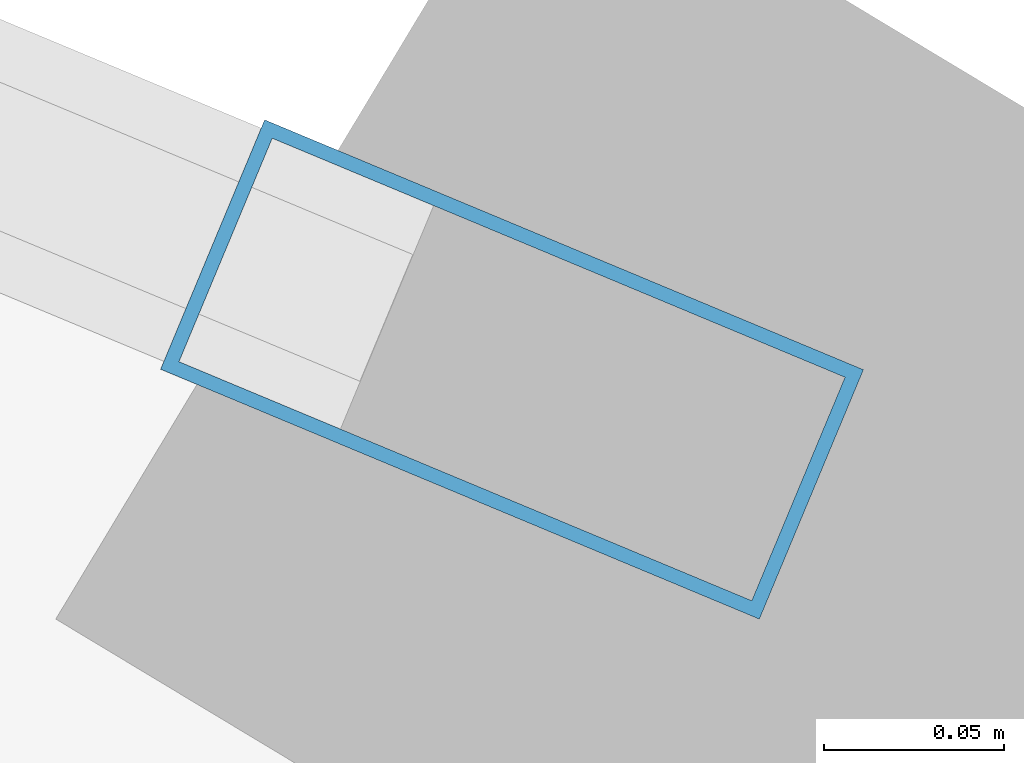
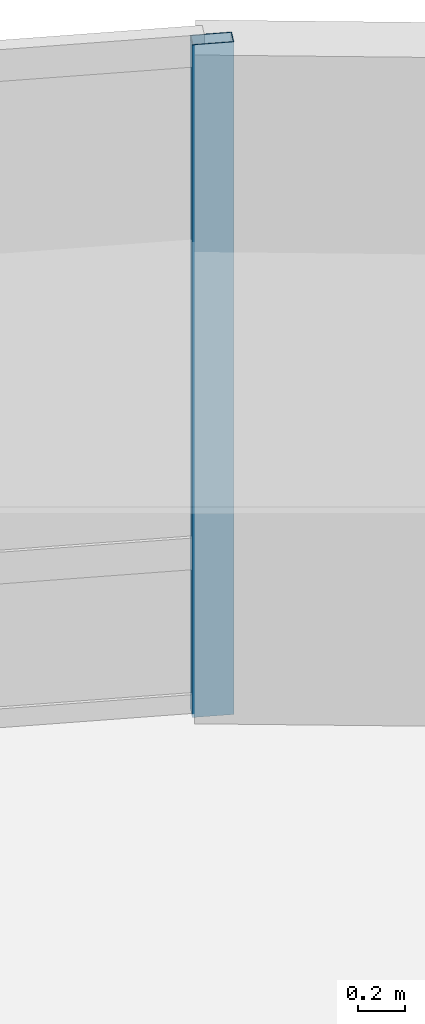
# One storey, part 12 of 18: 1 member, 1 element without a shape of its own.
"""IFC4 building model written with IfcOpenShell, lengths in metres."""

import ifcopenshell
import ifcopenshell.guid

model = None  # the IFC model being written
_history = None  # IfcOwnerHistory: only IFC2X3 demands one
_inside = {}  # id of a spatial element -> (the spatial element, [elements in it])
_under = {}  # id of a project, library or spatial element -> (it, [spatial elements below it])
_declared = {}  # id of a project -> (the project, [libraries it declares])
_typed = {}  # id of a type object -> (the type object, [elements of that type])
_made_of = {}  # id of a material, layer set ... -> (it, [elements and type objects made of it])


def new_model(schema):
    """Start an empty IFC model of exactly this schema.

    Asked for "IFC4X3", IfcOpenShell would pick the latest addendum, in which some entities
    have other attributes; the version numbers below select the first issue.
    IFC2X3 requires an IfcOwnerHistory on every rooted entity: one is made here for all.
    """
    global model, _history
    if schema == "IFC4X3":
        model = ifcopenshell.file(schema_version=(4, 3, 0, 0))
    else:
        model = ifcopenshell.file(schema=schema)
    _inside.clear()
    _under.clear()
    _declared.clear()
    _typed.clear()
    _made_of.clear()
    _history = None
    if model.schema == "IFC2X3":
        org = make("IfcOrganization", Name="unknown")
        user = make(
            "IfcPersonAndOrganization",
            ThePerson=make("IfcPerson", FamilyName="unknown"),
            TheOrganization=org,
        )
        app = make(
            "IfcApplication",
            ApplicationDeveloper=org,
            Version="unknown",
            ApplicationFullName="unknown",
            ApplicationIdentifier="unknown",
        )
        _history = make(
            "IfcOwnerHistory",
            OwningUser=user,
            OwningApplication=app,
            ChangeAction="ADDED",
            CreationDate=0,
        )
    return model


def make(cls, **values):
    """One entity of the class cls with the attributes given. An attribute that is None is left unset."""
    return model.create_entity(
        cls, **{name: value for name, value in values.items() if value is not None}
    )


def rooted(cls, **values):
    """An entity with a GlobalId (a new one), such as an element, a storey or a relation."""
    return make(cls, GlobalId=ifcopenshell.guid.new(), OwnerHistory=_history, **values)


def si_unit(unit_type, name, prefix=None):
    """IfcSIUnit, for example si_unit("LENGTHUNIT", "METRE", prefix="MILLI")."""
    return make("IfcSIUnit", UnitType=unit_type, Prefix=prefix, Name=name)


def assignment(units):
    """IfcUnitAssignment: the units of a project."""
    return None if units is None else make("IfcUnitAssignment", Units=units)


def point(xyz):
    """IfcCartesianPoint."""
    return None if xyz is None else make("IfcCartesianPoint", Coordinates=xyz)


def direction(xyz):
    """IfcDirection."""
    return None if xyz is None else make("IfcDirection", DirectionRatios=xyz)


def frame(location, z_axis=None, x_axis=None):
    """IfcAxis2Placement3D, a coordinate frame: its origin and axes. An axis left out is left unset."""
    return make(
        "IfcAxis2Placement3D",
        Location=point(location),
        Axis=direction(z_axis),
        RefDirection=direction(x_axis),
    )


def frame_2d(location, x_axis=None):
    """IfcAxis2Placement2D, a coordinate frame in the plane: its origin and x axis."""
    return make(
        "IfcAxis2Placement2D", Location=point(location), RefDirection=direction(x_axis)
    )


def origin():
    """The frame at (0, 0, 0) with its axes left unset."""
    return frame((0.0, 0.0, 0.0))


def origin_2d():
    """The frame at (0, 0) in the plane with its x axis left unset."""
    return frame_2d((0.0, 0.0))


def place(relative_to, where):
    """IfcLocalPlacement: puts the frame where relative to a parent placement (None: the world)."""
    return make(
        "IfcLocalPlacement", PlacementRelTo=relative_to, RelativePlacement=where
    )


def context(
    kind, dimensions, precision=None, world=None, true_north=None, identifier=None
):
    """IfcGeometricRepresentationContext, for example the 3D "Model" context."""
    return make(
        "IfcGeometricRepresentationContext",
        ContextIdentifier=identifier,
        ContextType=kind,
        CoordinateSpaceDimension=dimensions,
        Precision=precision,
        WorldCoordinateSystem=world,
        TrueNorth=true_north,
    )


def subcontext(parent, identifier, kind, view, scale=None):
    """IfcGeometricRepresentationSubContext, for example "Body" below "Model"."""
    return make(
        "IfcGeometricRepresentationSubContext",
        ContextIdentifier=identifier,
        ContextType=kind,
        ParentContext=parent,
        TargetScale=scale,
        TargetView=view,
    )


def project(units=None, contexts=None):
    """IfcProject with its units and contexts."""
    return rooted(
        "IfcProject",
        Name="project",
        RepresentationContexts=contexts,
        UnitsInContext=assignment(units),
    )


def spatial(cls, under=None, at=None, **own):
    """A site, building, storey or space (cls), placed at a placement, below another one or the project."""
    s = rooted(cls, ObjectPlacement=at, **own)
    if under is not None:
        _under.setdefault(under.id(), (under, []))[1].append(s)
    return s


def profile(cls, at=None, kind="AREA", **sizes):
    """A parametric profile (cls). Its sizes go by their IFC names, for example OverallWidth=200.0."""
    return make(cls, ProfileType=kind, Position=at, **sizes)


def hollow_rectangle(**sizes):
    """IfcRectangleHollowProfileDef."""
    return profile("IfcRectangleHollowProfileDef", **sizes)


def extrude(swept, where, along, depth):
    """IfcExtrudedAreaSolid: the profile swept, set in the frame where, extruded along a direction by depth."""
    return make(
        "IfcExtrudedAreaSolid",
        SweptArea=swept,
        Position=where,
        ExtrudedDirection=direction(along),
        Depth=depth,
    )


def shape(context_of_items, identifier, shape_type, items):
    """IfcShapeRepresentation: the items that make up one representation, for example the "Body"."""
    return make(
        "IfcShapeRepresentation",
        ContextOfItems=context_of_items,
        RepresentationIdentifier=identifier,
        RepresentationType=shape_type,
        Items=items,
    )


def material(Name=None, Category=None):
    """IfcMaterial."""
    return make("IfcMaterial", Name=Name, Category=Category)


def layer(
    of_material, thickness, ventilated=None, Name=None, Category=None, Priority=None
):
    """IfcMaterialLayer: one layer of a wall or slab, of a material (None: an air gap)."""
    return make(
        "IfcMaterialLayer",
        Material=of_material,
        LayerThickness=thickness,
        IsVentilated=ventilated,
        Name=Name,
        Category=Category,
        Priority=Priority,
    )


def layer_set(layers, Name=None):
    """IfcMaterialLayerSet."""
    return make("IfcMaterialLayerSet", MaterialLayers=layers, LayerSetName=Name)


def material_profile(
    of_material, cross_section, Name=None, Category=None, Priority=None
):
    """IfcMaterialProfile: a cross section and its material."""
    return make(
        "IfcMaterialProfile",
        Name=Name,
        Material=of_material,
        Profile=cross_section,
        Priority=Priority,
        Category=Category,
    )


def profile_set(profiles, Name=None, composite=None):
    """IfcMaterialProfileSet."""
    return make(
        "IfcMaterialProfileSet",
        Name=Name,
        MaterialProfiles=profiles,
        CompositeProfile=composite,
    )


def made_of(thing, what):
    """Note that an element or type object is made of a material, layer set ...; save() writes the relation."""
    if what is not None:
        _made_of.setdefault(what.id(), (what, []))[1].append(thing)
    return thing


def type_object(cls, material=None, **own):
    """A type object (cls), such as IfcWallType, which elements share."""
    return made_of(rooted(cls, **own), material)


def element(
    cls,
    number,
    at=None,
    inside=None,
    cuts=None,
    type_object=None,
    material=None,
    context=None,
    identifier="Body",
    shape_type=None,
    held_by="IfcProductDefinitionShape",
    body=None,
    shapes=None,
    **own,
):
    """One element of the class cls, such as IfcWall. Its Tag is "e" and its number.

    at: its placement. inside: the storey or other place that contains it. cuts: it is an
    opening in that element (IfcRelVoidsElement). A single representation is given by context,
    identifier, shape_type and body (its items); several are given by shapes. held_by: the class
    of the entity that holds the representations. save() writes the other relations.
    """
    e = rooted(cls, Tag="e%d" % number, ObjectPlacement=at, **own)
    if body is not None:
        shapes = [shape(context, identifier, shape_type, body)]
    if shapes is not None:
        e.Representation = make(held_by, Representations=shapes)
    if inside is not None:
        _inside.setdefault(inside.id(), (inside, []))[1].append(e)
    if cuts is not None:
        rooted(
            "IfcRelVoidsElement", RelatingBuildingElement=cuts, RelatedOpeningElement=e
        )
    if type_object is not None:
        _typed.setdefault(type_object.id(), (type_object, []))[1].append(e)
    return made_of(e, material)


def aggregate(whole, parts):
    """IfcRelAggregates: a whole, such as a stair, and the parts it consists of."""
    return rooted("IfcRelAggregates", RelatingObject=whole, RelatedObjects=parts)


def save(model, path):
    """Write the relations noted so far, then the file.

    IfcRelAggregates (storeys below a building ...), IfcRelContainedInSpatialStructure (elements
    in a storey), IfcRelDefinesByType, IfcRelAssociatesMaterial and IfcRelDeclares: one each for
    every whole, place, type object, material and project.
    """
    for whole, parts in _under.values():
        aggregate(whole, parts)
    for where, things in _inside.values():
        rooted(
            "IfcRelContainedInSpatialStructure",
            RelatedElements=things,
            RelatingStructure=where,
        )
    for kind, things in _typed.values():
        rooted("IfcRelDefinesByType", RelatedObjects=things, RelatingType=kind)
    for what, things in _made_of.values():
        rooted("IfcRelAssociatesMaterial", RelatedObjects=things, RelatingMaterial=what)
    for by, libraries in _declared.values():
        rooted("IfcRelDeclares", RelatingContext=by, RelatedDefinitions=libraries)
    model.write(path)


model = new_model("IFC4")

# Units and contexts
model_context = context("Model", 3, precision=1e-05, world=origin(), true_north=direction((0.0, 1.0)))
body_context = subcontext(model_context, "Body", "Model", "MODEL_VIEW")
ifc_project = project(units=[si_unit("LENGTHUNIT", "METRE"), si_unit("AREAUNIT", "SQUARE_METRE"), si_unit("VOLUMEUNIT", "CUBIC_METRE"), si_unit("PLANEANGLEUNIT", "RADIAN"), si_unit("MASSUNIT", "GRAM", prefix="KILO")], contexts=[model_context])

# Site, building, storey
site_placement = place(None, origin())
site = spatial("IfcSite", under=ifc_project, at=site_placement, CompositionType="ELEMENT")
building_placement = place(site_placement, origin())
building = spatial("IfcBuilding", under=site, at=building_placement, Name="Menara Vayukalpa", CompositionType="ELEMENT")
storey_placement = place(building_placement, frame((0.0, 0.0, 161.760009765625)))
storey = spatial("IfcBuildingStorey", under=building, at=storey_placement, Name="L40", CompositionType="ELEMENT", Elevation=161.760009765625)

# Curtain wall, member
ifc_material_1 = material(Name="Anodised Terracotta Aluminium Alloy 6063-T6", Category="masonry")
ifc_layer = layer(ifc_material_1, 0.179931640625)
ifc_layer_set = layer_set([ifc_layer], Name="Anodised Terracotta Aluminium Alloy 6063-T6")
curtain_wall_type = type_object("IfcCurtainWallType", Name="CW-CW4", PredefinedType="USERDEFINED", material=ifc_layer_set)
curtain_wall_placement = place(storey_placement, origin())
curtain_wall = element("IfcCurtainWall", 1, at=curtain_wall_placement, inside=storey, type_object=curtain_wall_type, Name="L40 Sky Bar Cantilever Glazed Curtain Wall CW4 04", ObjectType="UNITISED", PredefinedType="USERDEFINED")
ifc_material_2 = material(Name="Anodised Terracotta Aluminium Alloy 6063-T6", Category="masonry")
ifc_material_profile = material_profile(ifc_material_2, hollow_rectangle(XDim=0.074951171875, YDim=0.179931640625, WallThickness=0.00390625, at=origin_2d()), Name="ALU 75x180x4")
ifc_profile_set = profile_set([ifc_material_profile], Name="Anodised Terracotta Aluminium Alloy 6063-T6")
member_type = type_object("IfcMemberType", Name="CWM-CW4", PredefinedType="MULLION", material=ifc_profile_set)
member_placement = place(storey_placement, frame((46.20068359375, 29.039794921875, 0.0), z_axis=(0.0, 0.0, 1.0), x_axis=(-0.385091352437, -0.922878459104, 0.0)))
member = element("IfcMember", 2, at=member_placement, type_object=member_type, Name="CW4 mullion 1", PredefinedType="MULLION", context=body_context, shape_type="SweptSolid", body=[
    extrude(hollow_rectangle(XDim=0.074951171875, YDim=0.179931640625, WallThickness=0.00390625, at=origin_2d()), origin(), (0.0, 0.0, 1.0), 3.5),
])
aggregate(curtain_wall, [member])

save(model, "model.ifc")
